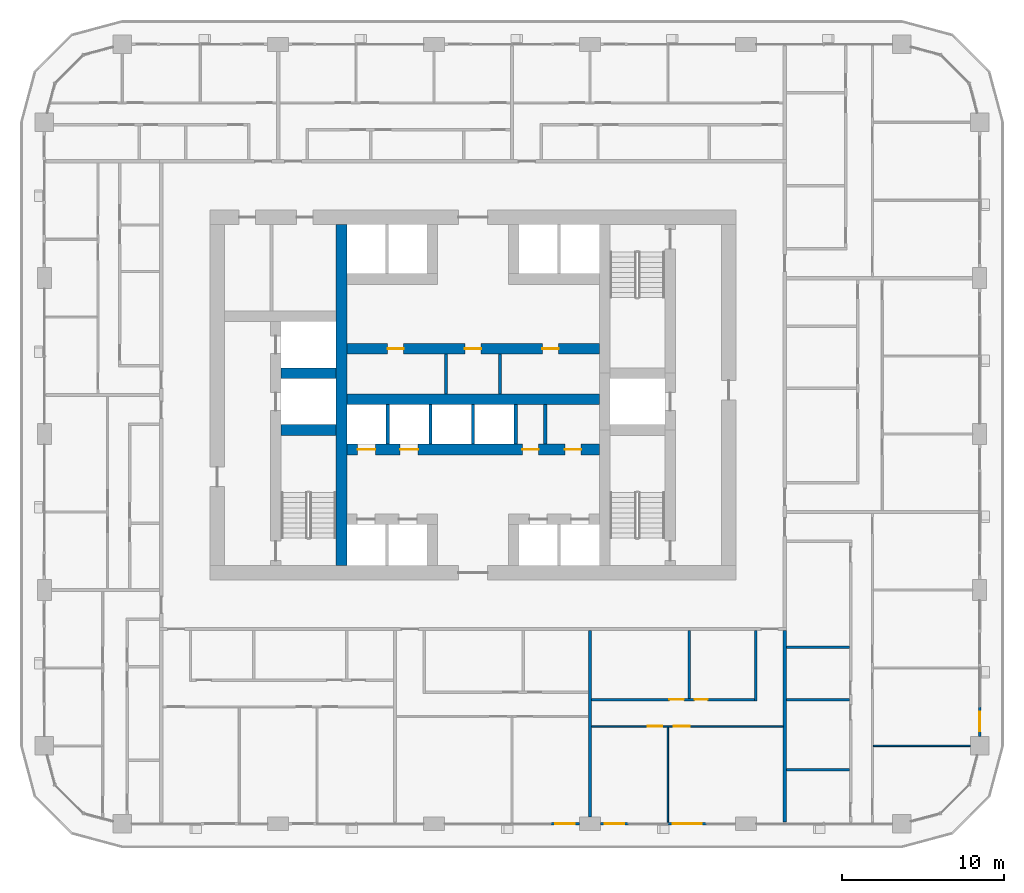
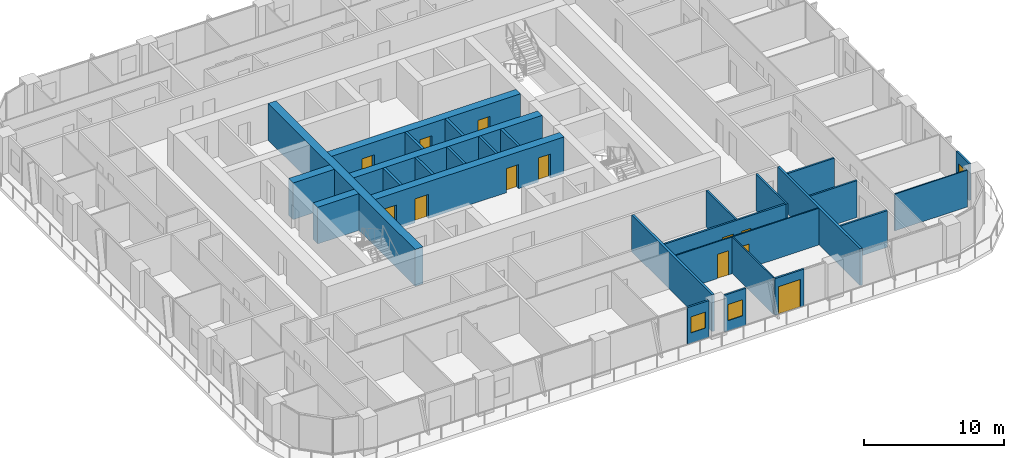
# One storey, part 11 of 22: 28 walls, 12 doors, 3 windows, 15 openings.
"""IFC4 building model written with IfcOpenShell, lengths in metres."""

import ifcopenshell
import ifcopenshell.guid

model = None  # the IFC model being written
_history = None  # IfcOwnerHistory: only IFC2X3 demands one
_inside = {}  # id of a spatial element -> (the spatial element, [elements in it])
_under = {}  # id of a project, library or spatial element -> (it, [spatial elements below it])
_declared = {}  # id of a project -> (the project, [libraries it declares])
_typed = {}  # id of a type object -> (the type object, [elements of that type])
_made_of = {}  # id of a material, layer set ... -> (it, [elements and type objects made of it])


def new_model(schema):
    """Start an empty IFC model of exactly this schema.

    Asked for "IFC4X3", IfcOpenShell would pick the latest addendum, in which some entities
    have other attributes; the version numbers below select the first issue.
    IFC2X3 requires an IfcOwnerHistory on every rooted entity: one is made here for all.
    """
    global model, _history
    if schema == "IFC4X3":
        model = ifcopenshell.file(schema_version=(4, 3, 0, 0))
    else:
        model = ifcopenshell.file(schema=schema)
    _inside.clear()
    _under.clear()
    _declared.clear()
    _typed.clear()
    _made_of.clear()
    _history = None
    if model.schema == "IFC2X3":
        org = make("IfcOrganization", Name="unknown")
        user = make(
            "IfcPersonAndOrganization",
            ThePerson=make("IfcPerson", FamilyName="unknown"),
            TheOrganization=org,
        )
        app = make(
            "IfcApplication",
            ApplicationDeveloper=org,
            Version="unknown",
            ApplicationFullName="unknown",
            ApplicationIdentifier="unknown",
        )
        _history = make(
            "IfcOwnerHistory",
            OwningUser=user,
            OwningApplication=app,
            ChangeAction="ADDED",
            CreationDate=0,
        )
    return model


def make(cls, **values):
    """One entity of the class cls with the attributes given. An attribute that is None is left unset."""
    return model.create_entity(
        cls, **{name: value for name, value in values.items() if value is not None}
    )


def rooted(cls, **values):
    """An entity with a GlobalId (a new one), such as an element, a storey or a relation."""
    return make(cls, GlobalId=ifcopenshell.guid.new(), OwnerHistory=_history, **values)


def si_unit(unit_type, name, prefix=None):
    """IfcSIUnit, for example si_unit("LENGTHUNIT", "METRE", prefix="MILLI")."""
    return make("IfcSIUnit", UnitType=unit_type, Prefix=prefix, Name=name)


def assignment(units):
    """IfcUnitAssignment: the units of a project."""
    return None if units is None else make("IfcUnitAssignment", Units=units)


def point(xyz):
    """IfcCartesianPoint."""
    return None if xyz is None else make("IfcCartesianPoint", Coordinates=xyz)


def direction(xyz):
    """IfcDirection."""
    return None if xyz is None else make("IfcDirection", DirectionRatios=xyz)


def frame(location, z_axis=None, x_axis=None):
    """IfcAxis2Placement3D, a coordinate frame: its origin and axes. An axis left out is left unset."""
    return make(
        "IfcAxis2Placement3D",
        Location=point(location),
        Axis=direction(z_axis),
        RefDirection=direction(x_axis),
    )


def frame_2d(location, x_axis=None):
    """IfcAxis2Placement2D, a coordinate frame in the plane: its origin and x axis."""
    return make(
        "IfcAxis2Placement2D", Location=point(location), RefDirection=direction(x_axis)
    )


def origin():
    """The frame at (0, 0, 0) with its axes left unset."""
    return frame((0.0, 0.0, 0.0))


def place(relative_to, where):
    """IfcLocalPlacement: puts the frame where relative to a parent placement (None: the world)."""
    return make(
        "IfcLocalPlacement", PlacementRelTo=relative_to, RelativePlacement=where
    )


def context(
    kind, dimensions, precision=None, world=None, true_north=None, identifier=None
):
    """IfcGeometricRepresentationContext, for example the 3D "Model" context."""
    return make(
        "IfcGeometricRepresentationContext",
        ContextIdentifier=identifier,
        ContextType=kind,
        CoordinateSpaceDimension=dimensions,
        Precision=precision,
        WorldCoordinateSystem=world,
        TrueNorth=true_north,
    )


def subcontext(parent, identifier, kind, view, scale=None):
    """IfcGeometricRepresentationSubContext, for example "Body" below "Model"."""
    return make(
        "IfcGeometricRepresentationSubContext",
        ContextIdentifier=identifier,
        ContextType=kind,
        ParentContext=parent,
        TargetScale=scale,
        TargetView=view,
    )


def project(units=None, contexts=None):
    """IfcProject with its units and contexts."""
    return rooted(
        "IfcProject",
        Name="project",
        RepresentationContexts=contexts,
        UnitsInContext=assignment(units),
    )


def spatial(cls, under=None, at=None, **own):
    """A site, building, storey or space (cls), placed at a placement, below another one or the project."""
    s = rooted(cls, ObjectPlacement=at, **own)
    if under is not None:
        _under.setdefault(under.id(), (under, []))[1].append(s)
    return s


def profile(cls, at=None, kind="AREA", **sizes):
    """A parametric profile (cls). Its sizes go by their IFC names, for example OverallWidth=200.0."""
    return make(cls, ProfileType=kind, Position=at, **sizes)


def rectangle(**sizes):
    """IfcRectangleProfileDef."""
    return profile("IfcRectangleProfileDef", **sizes)


def extrude(swept, where, along, depth):
    """IfcExtrudedAreaSolid: the profile swept, set in the frame where, extruded along a direction by depth."""
    return make(
        "IfcExtrudedAreaSolid",
        SweptArea=swept,
        Position=where,
        ExtrudedDirection=direction(along),
        Depth=depth,
    )


def shape(context_of_items, identifier, shape_type, items):
    """IfcShapeRepresentation: the items that make up one representation, for example the "Body"."""
    return make(
        "IfcShapeRepresentation",
        ContextOfItems=context_of_items,
        RepresentationIdentifier=identifier,
        RepresentationType=shape_type,
        Items=items,
    )


def material(Name=None, Category=None):
    """IfcMaterial."""
    return make("IfcMaterial", Name=Name, Category=Category)


def layer(
    of_material, thickness, ventilated=None, Name=None, Category=None, Priority=None
):
    """IfcMaterialLayer: one layer of a wall or slab, of a material (None: an air gap)."""
    return make(
        "IfcMaterialLayer",
        Material=of_material,
        LayerThickness=thickness,
        IsVentilated=ventilated,
        Name=Name,
        Category=Category,
        Priority=Priority,
    )


def layer_set(layers, Name=None):
    """IfcMaterialLayerSet."""
    return make("IfcMaterialLayerSet", MaterialLayers=layers, LayerSetName=Name)


def made_of(thing, what):
    """Note that an element or type object is made of a material, layer set ...; save() writes the relation."""
    if what is not None:
        _made_of.setdefault(what.id(), (what, []))[1].append(thing)
    return thing


def type_object(cls, material=None, **own):
    """A type object (cls), such as IfcWallType, which elements share."""
    return made_of(rooted(cls, **own), material)


def element(
    cls,
    number,
    at=None,
    inside=None,
    cuts=None,
    type_object=None,
    material=None,
    context=None,
    identifier="Body",
    shape_type=None,
    held_by="IfcProductDefinitionShape",
    body=None,
    shapes=None,
    **own,
):
    """One element of the class cls, such as IfcWall. Its Tag is "e" and its number.

    at: its placement. inside: the storey or other place that contains it. cuts: it is an
    opening in that element (IfcRelVoidsElement). A single representation is given by context,
    identifier, shape_type and body (its items); several are given by shapes. held_by: the class
    of the entity that holds the representations. save() writes the other relations.
    """
    e = rooted(cls, Tag="e%d" % number, ObjectPlacement=at, **own)
    if body is not None:
        shapes = [shape(context, identifier, shape_type, body)]
    if shapes is not None:
        e.Representation = make(held_by, Representations=shapes)
    if inside is not None:
        _inside.setdefault(inside.id(), (inside, []))[1].append(e)
    if cuts is not None:
        rooted(
            "IfcRelVoidsElement", RelatingBuildingElement=cuts, RelatedOpeningElement=e
        )
    if type_object is not None:
        _typed.setdefault(type_object.id(), (type_object, []))[1].append(e)
    return made_of(e, material)


def fill(opening, filler):
    """IfcRelFillsElement: the door or window that sits in an opening."""
    return rooted(
        "IfcRelFillsElement",
        RelatingOpeningElement=opening,
        RelatedBuildingElement=filler,
    )


def aggregate(whole, parts):
    """IfcRelAggregates: a whole, such as a stair, and the parts it consists of."""
    return rooted("IfcRelAggregates", RelatingObject=whole, RelatedObjects=parts)


def save(model, path):
    """Write the relations noted so far, then the file.

    IfcRelAggregates (storeys below a building ...), IfcRelContainedInSpatialStructure (elements
    in a storey), IfcRelDefinesByType, IfcRelAssociatesMaterial and IfcRelDeclares: one each for
    every whole, place, type object, material and project.
    """
    for whole, parts in _under.values():
        aggregate(whole, parts)
    for where, things in _inside.values():
        rooted(
            "IfcRelContainedInSpatialStructure",
            RelatedElements=things,
            RelatingStructure=where,
        )
    for kind, things in _typed.values():
        rooted("IfcRelDefinesByType", RelatedObjects=things, RelatingType=kind)
    for what, things in _made_of.values():
        rooted("IfcRelAssociatesMaterial", RelatedObjects=things, RelatingMaterial=what)
    for by, libraries in _declared.values():
        rooted("IfcRelDeclares", RelatingContext=by, RelatedDefinitions=libraries)
    model.write(path)


model = new_model("IFC4")

# Units and contexts
model_context = context("Model", 3, precision=1e-05, world=origin(), true_north=direction((0.0, 1.0)))
body_context = subcontext(model_context, "Body", "Model", "MODEL_VIEW")
ifc_project = project(units=[si_unit("LENGTHUNIT", "METRE"), si_unit("AREAUNIT", "SQUARE_METRE"), si_unit("VOLUMEUNIT", "CUBIC_METRE"), si_unit("PLANEANGLEUNIT", "RADIAN"), si_unit("MASSUNIT", "GRAM", prefix="KILO")], contexts=[model_context])

# Site, building, storey
site_placement = place(None, origin())
site = spatial("IfcSite", under=ifc_project, at=site_placement, CompositionType="ELEMENT")
building_placement = place(site_placement, origin())
building = spatial("IfcBuilding", under=site, at=building_placement, Name="Madar Terraces", CompositionType="ELEMENT")
storey_placement = place(building_placement, frame((0.0, 0.0, 76.800048828125)))
storey = spatial("IfcBuildingStorey", under=building, at=storey_placement, Name="L19", CompositionType="ELEMENT", Elevation=76.800048828125)

# Walls
ifc_material_1 = material(Name="Concrete C80/95", Category="concrete")
ifc_layer_1 = layer(ifc_material_1, 0.64990234375)
ifc_layer_set_1 = layer_set([ifc_layer_1], Name="Concrete C80/95 (CIW2 RC wall 650)")
wall_type_1 = type_object("IfcWallType", Name="CIW2 RC wall 650", PredefinedType="SHEAR", material=ifc_layer_set_1)
wall_1_placement = place(storey_placement, frame((23.10009765625, 15.89990234375, 0.0), z_axis=(0.0, 0.0, 1.0), x_axis=(0.0, 1.0, 0.0)))
element("IfcWall", 1, at=wall_1_placement, inside=storey, type_object=wall_type_1, Name="CORE SHAFT WALL", PredefinedType="SHEAR", context=body_context, shape_type="SweptSolid", body=[
    extrude(rectangle(XDim=21.0, YDim=0.64990234375, at=frame_2d((10.5, 0.0))), origin(), (0.0, 0.0, 1.0), 3.199951171875),
])
for number, where, z_axis, x_axis, name in (
    (2, (19.375, 24.25, 0.0), (0.0, 0.0, 1.0), (1.0, 0.0, 0.0), "CORE SHAFT WALL"),
    (3, (19.375, 27.75, 0.0), (0.0, 0.0, 1.0), (1.0, 0.0, 0.0), "CORE SHAFT WALL"),
):
    element("IfcWall", number, at=place(storey_placement, frame(where, z_axis=z_axis, x_axis=x_axis)), inside=storey, type_object=wall_type_1, Name=name, PredefinedType="SHEAR", context=body_context, shape_type="SweptSolid", body=[
        extrude(rectangle(XDim=3.39990234375, YDim=0.64990234375, at=frame_2d((1.699951171875, 0.0))), origin(), (0.0, 0.0, 1.0), 3.199951171875),
    ])

# Wall, openings, doors
wall_2_placement = place(storey_placement, frame((23.425048828125, 23.050048828125, 0.0), z_axis=(0.0, 0.0, 1.0), x_axis=(1.0, 0.0, 0.0)))
wall_2 = element("IfcWall", 4, at=wall_2_placement, inside=storey, type_object=wall_type_1, Name="CORE SHAFT WALL", PredefinedType="SHEAR", context=body_context, shape_type="SweptSolid", body=[
    extrude(rectangle(XDim=15.550048828125, YDim=0.64990234375, at=frame_2d((7.77490234375, 0.0))), origin(), (0.0, 0.0, 1.0), 3.199951171875),
])
opening_1_placement = place(wall_2_placement, frame((0.66259765625, 0.0, 0.0)))
opening_1 = element("IfcOpeningElement", 5, at=opening_1_placement, cuts=wall_2, Name="Opening LD", PredefinedType="OPENING", context=body_context, shape_type="SweptSolid", body=[
    extrude(rectangle(XDim=1.10009765625, YDim=2.10009765625, at=frame_2d((0.550048828125, 1.050048828125))), frame((0.0, 0.3349609375, 0.0), z_axis=(0.0, -1.0, 0.0), x_axis=(1.0, 0.0, 0.0)), (0.0, 0.0, 1.0), 0.669921875),
])
opening_2_placement = place(wall_2_placement, frame((3.28759765625, 0.0, 0.0)))
opening_2 = element("IfcOpeningElement", 6, at=opening_2_placement, cuts=wall_2, Name="Opening LD", PredefinedType="OPENING", context=body_context, shape_type="SweptSolid", body=[
    extrude(rectangle(XDim=1.10009765625, YDim=2.10009765625, at=frame_2d((0.550048828125, 1.050048828125))), frame((0.0, 0.3349609375, 0.0), z_axis=(0.0, -1.0, 0.0), x_axis=(1.0, 0.0, 0.0)), (0.0, 0.0, 1.0), 0.669921875),
])
opening_3_placement = place(wall_2_placement, frame((10.80859375, 0.0, 0.0)))
opening_3 = element("IfcOpeningElement", 7, at=opening_3_placement, cuts=wall_2, Name="Opening KD2", PredefinedType="OPENING", context=body_context, shape_type="SweptSolid", body=[
    extrude(rectangle(XDim=1.0, YDim=2.10009765625, at=frame_2d((0.5, 1.050048828125))), frame((0.0, 0.3349609375, 0.0), z_axis=(0.0, -1.0, 0.0), x_axis=(1.0, 0.0, 0.0)), (0.0, 0.0, 1.0), 0.669921875),
])
opening_4_placement = place(wall_2_placement, frame((13.43359375, 0.0, 0.0)))
opening_4 = element("IfcOpeningElement", 8, at=opening_4_placement, cuts=wall_2, Name="Opening KD2", PredefinedType="OPENING", context=body_context, shape_type="SweptSolid", body=[
    extrude(rectangle(XDim=1.0, YDim=2.10009765625, at=frame_2d((0.5, 1.050048828125))), frame((0.0, 0.3349609375, 0.0), z_axis=(0.0, -1.0, 0.0), x_axis=(1.0, 0.0, 0.0)), (0.0, 0.0, 1.0), 0.669921875),
])
ifc_material_2 = material(Name="Stainless steel panel", Category="steel")
door_type_1 = type_object("IfcDoorType", Name="Lift landing door 1100 x 2100", OperationType="DOUBLE_DOOR_SLIDING", PredefinedType="DOOR", material=ifc_material_2)
door_1_placement = place(opening_1_placement, origin())
door_1 = element("IfcDoor", 9, at=door_1_placement, inside=storey, type_object=door_type_1, Name="LIFT LANDING DOOR", OperationType="DOUBLE_DOOR_SLIDING", OverallHeight=2.10009765625, OverallWidth=1.10009765625, PredefinedType="DOOR", context=body_context, shape_type="SweptSolid", body=[
    extrude(rectangle(XDim=1.10009765625, YDim=2.10009765625, at=frame_2d((0.550048828125, 1.050048828125))), frame((0.0, 0.02490234375, 0.0), z_axis=(0.0, -1.0, 0.0), x_axis=(1.0, 0.0, 0.0)), (0.0, 0.0, 1.0), 0.050048828125),
])
fill(opening_1, door_1)
door_2_placement = place(opening_2_placement, origin())
door_2 = element("IfcDoor", 10, at=door_2_placement, inside=storey, type_object=door_type_1, Name="LIFT LANDING DOOR", OperationType="DOUBLE_DOOR_SLIDING", OverallHeight=2.10009765625, OverallWidth=1.10009765625, PredefinedType="DOOR", context=body_context, shape_type="SweptSolid", body=[
    extrude(rectangle(XDim=1.10009765625, YDim=2.10009765625, at=frame_2d((0.550048828125, 1.050048828125))), frame((0.0, 0.02490234375, 0.0), z_axis=(0.0, -1.0, 0.0), x_axis=(1.0, 0.0, 0.0)), (0.0, 0.0, 1.0), 0.050048828125),
])
fill(opening_2, door_2)
ifc_material_3 = material(Name="Steel door leaf", Category="steel")
door_type_2 = type_object("IfcDoorType", Name="Service room door 1000 x 2100", OperationType="NOTDEFINED", PredefinedType="DOOR", material=ifc_material_3)
door_3_placement = place(opening_3_placement, frame((1.0, 0.0, 0.0), z_axis=(0.0, 0.0, 1.0), x_axis=(-1.0, 0.0, 0.0)))
door_3 = element("IfcDoor", 11, at=door_3_placement, inside=storey, type_object=door_type_2, Name="SERVICE ROOM DOOR", OperationType="SINGLE_SWING_RIGHT", OverallHeight=2.10009765625, OverallWidth=1.0, PredefinedType="DOOR", context=body_context, shape_type="SweptSolid", body=[
    extrude(rectangle(XDim=1.0, YDim=2.10009765625, at=frame_2d((0.5, 1.050048828125))), frame((0.0, 0.02490234375, 0.0), z_axis=(0.0, -1.0, 0.0), x_axis=(1.0, 0.0, 0.0)), (0.0, 0.0, 1.0), 0.050048828125),
])
fill(opening_3, door_3)
door_4_placement = place(opening_4_placement, frame((1.0, 0.0, 0.0), z_axis=(0.0, 0.0, 1.0), x_axis=(-1.0, 0.0, 0.0)))
door_4 = element("IfcDoor", 12, at=door_4_placement, inside=storey, type_object=door_type_2, Name="SERVICE ROOM DOOR", OperationType="SINGLE_SWING_LEFT", OverallHeight=2.10009765625, OverallWidth=1.0, PredefinedType="DOOR", context=body_context, shape_type="SweptSolid", body=[
    extrude(rectangle(XDim=1.0, YDim=2.10009765625, at=frame_2d((0.5, 1.050048828125))), frame((0.0, 0.02490234375, 0.0), z_axis=(0.0, -1.0, 0.0), x_axis=(1.0, 0.0, 0.0)), (0.0, 0.0, 1.0), 0.050048828125),
])
fill(opening_4, door_4)

# Wall
wall_3_placement = place(storey_placement, frame((23.425048828125, 26.14990234375, 0.0), z_axis=(0.0, 0.0, 1.0), x_axis=(1.0, 0.0, 0.0)))
element("IfcWall", 13, at=wall_3_placement, inside=storey, type_object=wall_type_1, Name="CORE SHAFT WALL", PredefinedType="SHEAR", context=body_context, shape_type="SweptSolid", body=[
    extrude(rectangle(XDim=15.550048828125, YDim=0.64990234375, at=frame_2d((7.77490234375, 0.0))), origin(), (0.0, 0.0, 1.0), 3.199951171875),
])

# Wall, openings, doors
wall_4_placement = place(storey_placement, frame((23.425048828125, 29.25, 0.0), z_axis=(0.0, 0.0, 1.0), x_axis=(1.0, 0.0, 0.0)))
wall_4 = element("IfcWall", 14, at=wall_4_placement, inside=storey, type_object=wall_type_1, Name="CORE SHAFT WALL", PredefinedType="SHEAR", context=body_context, shape_type="SweptSolid", body=[
    extrude(rectangle(XDim=15.550048828125, YDim=0.64990234375, at=frame_2d((7.77490234375, 0.0))), origin(), (0.0, 0.0, 1.0), 3.199951171875),
])
opening_5_placement = place(wall_4_placement, frame((2.508056640625, 0.0, 0.0)))
opening_5 = element("IfcOpeningElement", 15, at=opening_5_placement, cuts=wall_4, Name="Opening KD2", PredefinedType="OPENING", context=body_context, shape_type="SweptSolid", body=[
    extrude(rectangle(XDim=1.0, YDim=2.10009765625, at=frame_2d((0.5, 1.050048828125))), frame((0.0, 0.3349609375, 0.0), z_axis=(0.0, -1.0, 0.0), x_axis=(1.0, 0.0, 0.0)), (0.0, 0.0, 1.0), 0.669921875),
])
opening_6_placement = place(wall_4_placement, frame((7.27490234375, 0.0, 0.0)))
opening_6 = element("IfcOpeningElement", 16, at=opening_6_placement, cuts=wall_4, Name="Opening KD2", PredefinedType="OPENING", context=body_context, shape_type="SweptSolid", body=[
    extrude(rectangle(XDim=1.0, YDim=2.10009765625, at=frame_2d((0.5, 1.050048828125))), frame((0.0, 0.3349609375, 0.0), z_axis=(0.0, -1.0, 0.0), x_axis=(1.0, 0.0, 0.0)), (0.0, 0.0, 1.0), 0.669921875),
])
opening_7_placement = place(wall_4_placement, frame((12.041748046875, 0.0, 0.0)))
opening_7 = element("IfcOpeningElement", 17, at=opening_7_placement, cuts=wall_4, Name="Opening KD2", PredefinedType="OPENING", context=body_context, shape_type="SweptSolid", body=[
    extrude(rectangle(XDim=1.0, YDim=2.10009765625, at=frame_2d((0.5, 1.050048828125))), frame((0.0, 0.3349609375, 0.0), z_axis=(0.0, -1.0, 0.0), x_axis=(1.0, 0.0, 0.0)), (0.0, 0.0, 1.0), 0.669921875),
])
door_5_placement = place(opening_5_placement, origin())
door_5 = element("IfcDoor", 18, at=door_5_placement, inside=storey, type_object=door_type_2, Name="SERVICE ROOM DOOR", OperationType="SINGLE_SWING_RIGHT", OverallHeight=2.10009765625, OverallWidth=1.0, PredefinedType="DOOR", context=body_context, shape_type="SweptSolid", body=[
    extrude(rectangle(XDim=1.0, YDim=2.10009765625, at=frame_2d((0.5, 1.050048828125))), frame((0.0, 0.02490234375, 0.0), z_axis=(0.0, -1.0, 0.0), x_axis=(1.0, 0.0, 0.0)), (0.0, 0.0, 1.0), 0.050048828125),
])
fill(opening_5, door_5)
door_6_placement = place(opening_6_placement, origin())
door_6 = element("IfcDoor", 19, at=door_6_placement, inside=storey, type_object=door_type_2, Name="SERVICE ROOM DOOR", OperationType="SINGLE_SWING_LEFT", OverallHeight=2.10009765625, OverallWidth=1.0, PredefinedType="DOOR", context=body_context, shape_type="SweptSolid", body=[
    extrude(rectangle(XDim=1.0, YDim=2.10009765625, at=frame_2d((0.5, 1.050048828125))), frame((0.0, 0.02490234375, 0.0), z_axis=(0.0, -1.0, 0.0), x_axis=(1.0, 0.0, 0.0)), (0.0, 0.0, 1.0), 0.050048828125),
])
fill(opening_6, door_6)
door_7_placement = place(opening_7_placement, origin())
door_7 = element("IfcDoor", 20, at=door_7_placement, inside=storey, type_object=door_type_2, Name="SERVICE ROOM DOOR", OperationType="SINGLE_SWING_RIGHT", OverallHeight=2.10009765625, OverallWidth=1.0, PredefinedType="DOOR", context=body_context, shape_type="SweptSolid", body=[
    extrude(rectangle(XDim=1.0, YDim=2.10009765625, at=frame_2d((0.5, 1.050048828125))), frame((0.0, 0.02490234375, 0.0), z_axis=(0.0, -1.0, 0.0), x_axis=(1.0, 0.0, 0.0)), (0.0, 0.0, 1.0), 0.050048828125),
])
fill(opening_7, door_7)

# Walls
ifc_material_4 = material(Name="Masonry blockwork", Category="masonry")
ifc_layer_2 = layer(ifc_material_4, 0.199951171875)
ifc_layer_set_2 = layer_set([ifc_layer_2], Name="Core partition 200 blockwork")
wall_type_2 = type_object("IfcWallType", Name="Core partition 200 blockwork", PredefinedType="PARTITIONING", material=ifc_layer_set_2)
for number, where, z_axis, x_axis, name in (
    (21, (35.64208984375, 23.375, 0.0), (0.0, 0.0, 1.0), (0.0, 1.0, 0.0), "SERVICE ROOM PARTITION"),
    (22, (29.541259765625, 26.47509765625, 0.0), (0.0, 0.0, 1.0), (0.0, 1.0, 0.0), "SERVICE ROOM PARTITION"),
    (23, (32.858642578125, 26.47509765625, 0.0), (0.0, 0.0, 1.0), (0.0, 1.0, 0.0), "SERVICE ROOM PARTITION"),
):
    element("IfcWall", number, at=place(storey_placement, frame(where, z_axis=z_axis, x_axis=x_axis)), inside=storey, type_object=wall_type_2, Name=name, PredefinedType="PARTITIONING", context=body_context, shape_type="SweptSolid", body=[
        extrude(rectangle(XDim=2.449951171875, YDim=0.199951171875, at=frame_2d((1.22509765625, 0.0))), origin(), (0.0, 0.0, 1.0), 3.199951171875),
    ])
ifc_material_5 = material(Name="Concrete C40/50", Category="concrete")
ifc_layer_3 = layer(ifc_material_5, 0.199951171875)
ifc_layer_set_3 = layer_set([ifc_layer_3], Name="Core shaft dividing wall 200 C40/50")
wall_type_3 = type_object("IfcWallType", Name="Core shaft dividing wall 200 C40/50", PredefinedType="SOLIDWALL", material=ifc_layer_set_3)
for number, where, z_axis, x_axis, name in (
    (24, (25.949951171875, 23.375, 0.0), (0.0, 0.0, 1.0), (0.0, 1.0, 0.0), "SHAFT DIVIDING WALL"),
    (25, (28.574951171875, 23.375, 0.0), (0.0, 0.0, 1.0), (0.0, 1.0, 0.0), "SHAFT DIVIDING WALL"),
    (26, (31.199951171875, 23.375, 0.0), (0.0, 0.0, 1.0), (0.0, 1.0, 0.0), "SHAFT DIVIDING WALL"),
    (27, (33.824951171875, 23.375, 0.0), (0.0, 0.0, 1.0), (0.0, 1.0, 0.0), "SHAFT DIVIDING WALL"),
):
    element("IfcWall", number, at=place(storey_placement, frame(where, z_axis=z_axis, x_axis=x_axis)), inside=storey, type_object=wall_type_3, Name=name, PredefinedType="SOLIDWALL", context=body_context, shape_type="SweptSolid", body=[
        extrude(rectangle(XDim=2.449951171875, YDim=0.199951171875, at=frame_2d((1.22509765625, 0.0))), origin(), (0.0, 0.0, 1.0), 3.199951171875),
    ])

# Wall, opening, window
ifc_material_6 = material(Name="Aluminium composite panel, black, over insulated backing", Category="aluminium")
ifc_layer_4 = layer(ifc_material_6, 0.14990234375)
ifc_layer_set_4 = layer_set([ifc_layer_4], Name="Facade bay panel 150")
wall_type_4 = type_object("IfcWallType", Name="Facade bay panel 150", PredefinedType="SOLIDWALL", material=ifc_layer_set_4)
wall_5_placement = place(storey_placement, frame((36.0, 0.0, 0.0), z_axis=(0.0, 0.0, 1.0), x_axis=(1.0, 0.0, 0.0)))
wall_5 = element("IfcWall", 28, at=wall_5_placement, inside=storey, type_object=wall_type_4, Name="Facade bay panel", PredefinedType="SOLIDWALL", context=body_context, shape_type="SweptSolid", body=[
    extrude(rectangle(XDim=1.75, YDim=0.14990234375, at=frame_2d((0.875, 0.0))), origin(), (0.0, 0.0, 1.0), 3.199951171875),
])
opening_8_placement = place(wall_5_placement, frame((0.27490234375, 0.0, 0.89990234375)))
opening_8 = element("IfcOpeningElement", 29, at=opening_8_placement, cuts=wall_5, Name="Opening W1", PredefinedType="OPENING", context=body_context, shape_type="SweptSolid", body=[
    extrude(rectangle(XDim=1.199951171875, YDim=1.39990234375, at=frame_2d((0.60009765625, 0.699951171875))), frame((0.0, 0.0849609375, 0.0), z_axis=(0.0, -1.0, 0.0), x_axis=(1.0, 0.0, 0.0)), (0.0, 0.0, 1.0), 0.169921875),
])
ifc_material_7 = material(Name="Glass, clear, with black aluminium frame", Category="aluminium")
window_type = type_object("IfcWindowType", Name="Vent window 1200 x 1400", PartitioningType="SINGLE_PANEL", PredefinedType="WINDOW", material=ifc_material_7)
window_1_placement = place(opening_8_placement, origin())
window_1 = element("IfcWindow", 30, at=window_1_placement, inside=storey, type_object=window_type, Name="Operable vent window", OverallHeight=1.39990234375, OverallWidth=1.199951171875, PartitioningType="SINGLE_PANEL", PredefinedType="WINDOW", context=body_context, shape_type="SweptSolid", body=[
    extrude(rectangle(XDim=1.199951171875, YDim=1.39990234375, at=frame_2d((0.60009765625, 0.699951171875))), frame((0.0, 0.030029296875, 0.0), z_axis=(0.0, -1.0, 0.0), x_axis=(1.0, 0.0, 0.0)), (0.0, 0.0, 1.0), 0.06005859375),
])
fill(opening_8, window_1)

wall_6_placement = place(storey_placement, frame((39.050048828125, 0.0, 0.0), z_axis=(0.0, 0.0, 1.0), x_axis=(1.0, 0.0, 0.0)))
wall_6 = element("IfcWall", 31, at=wall_6_placement, inside=storey, type_object=wall_type_4, Name="Facade bay panel", PredefinedType="SOLIDWALL", context=body_context, shape_type="SweptSolid", body=[
    extrude(rectangle(XDim=1.75, YDim=0.14990234375, at=frame_2d((0.875, 0.0))), origin(), (0.0, 0.0, 1.0), 3.199951171875),
])
opening_9_placement = place(wall_6_placement, frame((0.27490234375, 0.0, 0.89990234375)))
opening_9 = element("IfcOpeningElement", 32, at=opening_9_placement, cuts=wall_6, Name="Opening W1", PredefinedType="OPENING", context=body_context, shape_type="SweptSolid", body=[
    extrude(rectangle(XDim=1.199951171875, YDim=1.39990234375, at=frame_2d((0.60009765625, 0.699951171875))), frame((0.0, 0.0849609375, 0.0), z_axis=(0.0, -1.0, 0.0), x_axis=(1.0, 0.0, 0.0)), (0.0, 0.0, 1.0), 0.169921875),
])
window_2_placement = place(opening_9_placement, origin())
window_2 = element("IfcWindow", 33, at=window_2_placement, inside=storey, type_object=window_type, Name="Operable vent window", OverallHeight=1.39990234375, OverallWidth=1.199951171875, PartitioningType="SINGLE_PANEL", PredefinedType="WINDOW", context=body_context, shape_type="SweptSolid", body=[
    extrude(rectangle(XDim=1.199951171875, YDim=1.39990234375, at=frame_2d((0.60009765625, 0.699951171875))), frame((0.0, 0.030029296875, 0.0), z_axis=(0.0, -1.0, 0.0), x_axis=(1.0, 0.0, 0.0)), (0.0, 0.0, 1.0), 0.06005859375),
])
fill(opening_9, window_2)

# Wall, opening, door
wall_7_placement = place(storey_placement, frame((43.199951171875, 0.0, 0.0), z_axis=(0.0, 0.0, 1.0), x_axis=(1.0, 0.0, 0.0)))
wall_7 = element("IfcWall", 34, at=wall_7_placement, inside=storey, type_object=wall_type_4, Name="Facade bay panel", PredefinedType="SOLIDWALL", context=body_context, shape_type="SweptSolid", body=[
    extrude(rectangle(XDim=2.400146484375, YDim=0.14990234375, at=frame_2d((1.2001953125, 0.0))), origin(), (0.0, 0.0, 1.0), 3.199951171875),
])
opening_10_placement = place(wall_7_placement, frame((0.300048828125, 0.0, 0.0)))
opening_10 = element("IfcOpeningElement", 35, at=opening_10_placement, cuts=wall_7, Name="Opening ED1", PredefinedType="OPENING", context=body_context, shape_type="SweptSolid", body=[
    extrude(rectangle(XDim=1.800048828125, YDim=2.39990234375, at=frame_2d((0.89990234375, 1.199951171875))), frame((0.0, 0.0849609375, 0.0), z_axis=(0.0, -1.0, 0.0), x_axis=(1.0, 0.0, 0.0)), (0.0, 0.0, 1.0), 0.169921875),
])
ifc_material_8 = material(Name="Glass, clear, with black aluminium frame", Category="aluminium")
door_type_3 = type_object("IfcDoorType", Name="Balcony and terrace sliding door 1800 x 2400", OperationType="SLIDING_TO_LEFT", PredefinedType="DOOR", material=ifc_material_8)
door_8_placement = place(opening_10_placement, origin())
door_8 = element("IfcDoor", 36, at=door_8_placement, inside=storey, type_object=door_type_3, Name="Balcony door", OperationType="SLIDING_TO_RIGHT", OverallHeight=2.39990234375, OverallWidth=1.800048828125, PredefinedType="DOOR", context=body_context, shape_type="SweptSolid", body=[
    extrude(rectangle(XDim=1.800048828125, YDim=2.39990234375, at=frame_2d((0.89990234375, 1.199951171875))), frame((0.0, 0.02490234375, 0.0), z_axis=(0.0, -1.0, 0.0), x_axis=(1.0, 0.0, 0.0)), (0.0, 0.0, 1.0), 0.050048828125),
])
fill(opening_10, door_8)

# Wall, opening, window
wall_8_placement = place(storey_placement, frame((62.39990234375, 5.375, 0.0), z_axis=(0.0, 0.0, 1.0), x_axis=(0.0, 1.0, 0.0)))
wall_8 = element("IfcWall", 37, at=wall_8_placement, inside=storey, type_object=wall_type_4, Name="Facade bay panel", PredefinedType="SOLIDWALL", context=body_context, shape_type="SweptSolid", body=[
    extrude(rectangle(XDim=1.824951171875, YDim=0.14990234375, at=frame_2d((0.91259765625, 0.0))), origin(), (0.0, 0.0, 1.0), 3.199951171875),
])
opening_11_placement = place(wall_8_placement, frame((0.3125, 0.0, 0.89990234375)))
opening_11 = element("IfcOpeningElement", 38, at=opening_11_placement, cuts=wall_8, Name="Opening W1", PredefinedType="OPENING", context=body_context, shape_type="SweptSolid", body=[
    extrude(rectangle(XDim=1.199951171875, YDim=1.39990234375, at=frame_2d((0.60009765625, 0.699951171875))), frame((0.0, 0.0849609375, 0.0), z_axis=(0.0, -1.0, 0.0), x_axis=(1.0, 0.0, 0.0)), (0.0, 0.0, 1.0), 0.169921875),
])
window_3_placement = place(opening_11_placement, origin())
window_3 = element("IfcWindow", 39, at=window_3_placement, inside=storey, type_object=window_type, Name="Operable vent window", OverallHeight=1.39990234375, OverallWidth=1.199951171875, PartitioningType="SINGLE_PANEL", PredefinedType="WINDOW", context=body_context, shape_type="SweptSolid", body=[
    extrude(rectangle(XDim=1.199951171875, YDim=1.39990234375, at=frame_2d((0.60009765625, 0.699951171875))), frame((0.0, 0.030029296875, 0.0), z_axis=(0.0, -1.0, 0.0), x_axis=(1.0, 0.0, 0.0)), (0.0, 0.0, 1.0), 0.06005859375),
])
fill(opening_11, window_3)

# Wall
ifc_material_9 = material(Name="Gypsum board on steel studs", Category="steel")
ifc_layer_5 = layer(ifc_material_9, 0.10009765625)
ifc_layer_set_5 = layer_set([ifc_layer_5], Name="Flat partition 100")
wall_type_5 = type_object("IfcWallType", Name="Flat partition 100", PredefinedType="PARTITIONING", material=ifc_layer_set_5)
wall_9_placement = place(storey_placement, frame((43.199951171875, 5.949951171875, 0.0), z_axis=(0.0, 0.0, 1.0), x_axis=(0.0, -1.0, 0.0)))
element("IfcWall", 40, at=wall_9_placement, inside=storey, type_object=wall_type_5, Name="Flat partition 100", PredefinedType="PARTITIONING", context=body_context, shape_type="SweptSolid", body=[
    extrude(rectangle(XDim=5.849853515625, YDim=0.10009765625, at=frame_2d((2.9248046875, 0.0))), origin(), (0.0, 0.0, 1.0), 3.199951171875),
])

# Wall, openings, doors
wall_10_placement = place(storey_placement, frame((50.300048828125, 6.0, 0.0), z_axis=(0.0, 0.0, 1.0), x_axis=(-1.0, 0.0, 0.0)))
wall_10 = element("IfcWall", 41, at=wall_10_placement, inside=storey, type_object=wall_type_5, Name="Flat partition 100", PredefinedType="PARTITIONING", context=body_context, shape_type="SweptSolid", body=[
    extrude(rectangle(XDim=11.800048828125, YDim=0.10009765625, at=frame_2d((5.89990234375, 0.0))), origin(), (0.0, 0.0, 1.0), 3.199951171875),
])
opening_12_placement = place(wall_10_placement, frame((5.75, 0.0, 0.0)))
opening_12 = element("IfcOpeningElement", 42, at=opening_12_placement, cuts=wall_10, Name="Opening D3", PredefinedType="OPENING", context=body_context, shape_type="SweptSolid", body=[
    extrude(rectangle(XDim=1.0, YDim=2.10009765625, at=frame_2d((0.5, 1.050048828125))), frame((0.0, 0.06005859375, 0.0), z_axis=(0.0, -1.0, 0.0), x_axis=(1.0, 0.0, 0.0)), (0.0, 0.0, 1.0), 0.1201171875),
])
opening_13_placement = place(wall_10_placement, frame((7.449951171875, 0.0, 0.0)))
opening_13 = element("IfcOpeningElement", 43, at=opening_13_placement, cuts=wall_10, Name="Opening D2", PredefinedType="OPENING", context=body_context, shape_type="SweptSolid", body=[
    extrude(rectangle(XDim=0.89990234375, YDim=2.10009765625, at=frame_2d((0.449951171875, 1.050048828125))), frame((0.0, 0.06005859375, 0.0), z_axis=(0.0, -1.0, 0.0), x_axis=(1.0, 0.0, 0.0)), (0.0, 0.0, 1.0), 0.1201171875),
])
ifc_material_10 = material(Name="Timber door leaf", Category="wood")
door_type_4 = type_object("IfcDoorType", Name="Flat living room door 1000", OperationType="NOTDEFINED", PredefinedType="DOOR", material=ifc_material_10)
door_9_placement = place(opening_12_placement, origin())
door_9 = element("IfcDoor", 44, at=door_9_placement, inside=storey, type_object=door_type_4, Name="Flat living room door 1000", OperationType="SINGLE_SWING_RIGHT", OverallHeight=2.10009765625, OverallWidth=1.0, PredefinedType="DOOR", context=body_context, shape_type="SweptSolid", body=[
    extrude(rectangle(XDim=1.0, YDim=2.10009765625, at=frame_2d((0.5, 1.050048828125))), frame((0.0, 0.02490234375, 0.0), z_axis=(0.0, -1.0, 0.0), x_axis=(1.0, 0.0, 0.0)), (0.0, 0.0, 1.0), 0.050048828125),
])
fill(opening_12, door_9)
ifc_material_11 = material(Name="Timber door leaf", Category="wood")
door_type_5 = type_object("IfcDoorType", Name="Flat room door 900", OperationType="NOTDEFINED", PredefinedType="DOOR", material=ifc_material_11)
door_10_placement = place(opening_13_placement, origin())
door_10 = element("IfcDoor", 45, at=door_10_placement, inside=storey, type_object=door_type_5, Name="Flat room door 900", OperationType="SINGLE_SWING_LEFT", OverallHeight=2.10009765625, OverallWidth=0.89990234375, PredefinedType="DOOR", context=body_context, shape_type="SweptSolid", body=[
    extrude(rectangle(XDim=0.89990234375, YDim=2.10009765625, at=frame_2d((0.449951171875, 1.050048828125))), frame((0.0, 0.02490234375, 0.0), z_axis=(0.0, -1.0, 0.0), x_axis=(1.0, 0.0, 0.0)), (0.0, 0.0, 1.0), 0.050048828125),
])
fill(opening_13, door_10)

# Walls
wall_11_placement = place(storey_placement, frame((55.85009765625, 4.800048828125, 0.0), z_axis=(0.0, 0.0, 1.0), x_axis=(1.0, 0.0, 0.0)))
element("IfcWall", 46, at=wall_11_placement, inside=storey, type_object=wall_type_5, Name="Flat partition 100", PredefinedType="PARTITIONING", context=body_context, shape_type="SweptSolid", body=[
    extrude(rectangle(XDim=5.974853515625, YDim=0.10009765625, at=frame_2d((2.9873046875, 0.0))), origin(), (0.0, 0.0, 1.0), 3.199951171875),
])
ifc_material_12 = material(Name="Lightweight blockwork", Category="masonry")
ifc_layer_6 = layer(ifc_material_12, 0.199951171875)
ifc_layer_set_6 = layer_set([ifc_layer_6], Name="Flat party and entrance wall 200")
wall_type_6 = type_object("IfcWallType", Name="Flat party and entrance wall 200", PredefinedType="PARTITIONING", material=ifc_layer_set_6)
wall_12_placement = place(storey_placement, frame((38.39990234375, 11.89990234375, 0.0), z_axis=(0.0, 0.0, 1.0), x_axis=(0.0, -1.0, 0.0)))
element("IfcWall", 47, at=wall_12_placement, inside=storey, type_object=wall_type_6, Name="Flat party and entrance wall 200", PredefinedType="PARTITIONING", context=body_context, shape_type="SweptSolid", body=[
    extrude(rectangle(XDim=11.474853515625, YDim=0.199951171875, at=frame_2d((5.7373046875, 0.0))), origin(), (0.0, 0.0, 1.0), 3.199951171875),
])
wall_13_placement = place(storey_placement, frame((50.39990234375, 11.89990234375, 0.0), z_axis=(0.0, 0.0, 1.0), x_axis=(0.0, -1.0, 0.0)))
element("IfcWall", 48, at=wall_13_placement, inside=storey, type_object=wall_type_6, Name="Flat party and entrance wall 200", PredefinedType="PARTITIONING", context=body_context, shape_type="SweptSolid", body=[
    extrude(rectangle(XDim=11.7998046875, YDim=0.199951171875, at=frame_2d((5.89990234375, 0.0))), origin(), (0.0, 0.0, 1.0), 3.199951171875),
])
ifc_material_13 = material(Name="Lightweight blockwork", Category="masonry")
ifc_layer_7 = layer(ifc_material_13, 0.14990234375)
ifc_layer_set_7 = layer_set([ifc_layer_7], Name="Flat wet-room partition 150")
wall_type_7 = type_object("IfcWallType", Name="Flat wet-room partition 150", PredefinedType="PARTITIONING", material=ifc_layer_set_7)
wall_14_placement = place(storey_placement, frame((44.514892578125, 11.89990234375, 0.0), z_axis=(0.0, 0.0, 1.0), x_axis=(0.0, -1.0, 0.0)))
element("IfcWall", 49, at=wall_14_placement, inside=storey, type_object=wall_type_7, Name="Flat wet-room partition 150", PredefinedType="PARTITIONING", context=body_context, shape_type="SweptSolid", body=[
    extrude(rectangle(XDim=4.1748046875, YDim=0.14990234375, at=frame_2d((2.08740234375, 0.0))), origin(), (0.0, 0.0, 1.0), 3.199951171875),
])
wall_15_placement = place(storey_placement, frame((48.60009765625, 11.89990234375, 0.0), z_axis=(0.0, 0.0, 1.0), x_axis=(0.0, -1.0, 0.0)))
element("IfcWall", 50, at=wall_15_placement, inside=storey, type_object=wall_type_7, Name="Flat wet-room partition 150", PredefinedType="PARTITIONING", context=body_context, shape_type="SweptSolid", body=[
    extrude(rectangle(XDim=4.324951171875, YDim=0.14990234375, at=frame_2d((2.16259765625, 0.0))), origin(), (0.0, 0.0, 1.0), 3.199951171875),
])

# Wall, openings, doors
wall_16_placement = place(storey_placement, frame((38.5, 7.64990234375, 0.0), z_axis=(0.0, 0.0, 1.0), x_axis=(1.0, 0.0, 0.0)))
wall_16 = element("IfcWall", 51, at=wall_16_placement, inside=storey, type_object=wall_type_7, Name="Flat wet-room partition 150", PredefinedType="PARTITIONING", context=body_context, shape_type="SweptSolid", body=[
    extrude(rectangle(XDim=10.02490234375, YDim=0.14990234375, at=frame_2d((5.012451171875, 0.0))), origin(), (0.0, 0.0, 1.0), 3.199951171875),
])
opening_14_placement = place(wall_16_placement, frame((6.340087890625, 0.0, 0.0)))
opening_14 = element("IfcOpeningElement", 52, at=opening_14_placement, cuts=wall_16, Name="Opening D4", PredefinedType="OPENING", context=body_context, shape_type="SweptSolid", body=[
    extrude(rectangle(XDim=0.800048828125, YDim=2.10009765625, at=frame_2d((0.39990234375, 1.050048828125))), frame((0.0, 0.0849609375, 0.0), z_axis=(0.0, -1.0, 0.0), x_axis=(1.0, 0.0, 0.0)), (0.0, 0.0, 1.0), 0.169921875),
])
opening_15_placement = place(wall_16_placement, frame((4.7900390625, 0.0, 0.0)))
opening_15 = element("IfcOpeningElement", 53, at=opening_15_placement, cuts=wall_16, Name="Opening D2", PredefinedType="OPENING", context=body_context, shape_type="SweptSolid", body=[
    extrude(rectangle(XDim=0.89990234375, YDim=2.10009765625, at=frame_2d((0.449951171875, 1.050048828125))), frame((0.0, 0.0849609375, 0.0), z_axis=(0.0, -1.0, 0.0), x_axis=(1.0, 0.0, 0.0)), (0.0, 0.0, 1.0), 0.169921875),
])
ifc_material_14 = material(Name="Timber door leaf", Category="wood")
door_type_6 = type_object("IfcDoorType", Name="Flat bathroom door 800", OperationType="NOTDEFINED", PredefinedType="DOOR", material=ifc_material_14)
door_11_placement = place(opening_14_placement, origin())
door_11 = element("IfcDoor", 54, at=door_11_placement, inside=storey, type_object=door_type_6, Name="Flat bathroom door 800", OperationType="SINGLE_SWING_LEFT", OverallHeight=2.10009765625, OverallWidth=0.800048828125, PredefinedType="DOOR", context=body_context, shape_type="SweptSolid", body=[
    extrude(rectangle(XDim=0.800048828125, YDim=2.10009765625, at=frame_2d((0.39990234375, 1.050048828125))), frame((0.0, 0.02490234375, 0.0), z_axis=(0.0, -1.0, 0.0), x_axis=(1.0, 0.0, 0.0)), (0.0, 0.0, 1.0), 0.050048828125),
])
fill(opening_14, door_11)
door_12_placement = place(opening_15_placement, origin())
door_12 = element("IfcDoor", 55, at=door_12_placement, inside=storey, type_object=door_type_5, Name="Flat room door 900", OperationType="SINGLE_SWING_RIGHT", OverallHeight=2.10009765625, OverallWidth=0.89990234375, PredefinedType="DOOR", context=body_context, shape_type="SweptSolid", body=[
    extrude(rectangle(XDim=0.89990234375, YDim=2.10009765625, at=frame_2d((0.449951171875, 1.050048828125))), frame((0.0, 0.02490234375, 0.0), z_axis=(0.0, -1.0, 0.0), x_axis=(1.0, 0.0, 0.0)), (0.0, 0.0, 1.0), 0.050048828125),
])
fill(opening_15, door_12)

# Walls
for number, where, z_axis, x_axis, name in (
    (56, (50.5, 10.865478515625, 0.0), (0.0, 0.0, 1.0), (1.0, 0.0, 0.0), "Flat wet-room partition 150"),
    (57, (50.5, 7.635986328125, 0.0), (0.0, 0.0, 1.0), (1.0, 0.0, 0.0), "Flat wet-room partition 150"),
    (58, (50.5, 3.32958984375, 0.0), (0.0, 0.0, 1.0), (1.0, 0.0, 0.0), "Flat wet-room partition 150"),
):
    element("IfcWall", number, at=place(storey_placement, frame(where, z_axis=z_axis, x_axis=x_axis)), inside=storey, type_object=wall_type_7, Name=name, PredefinedType="PARTITIONING", context=body_context, shape_type="SweptSolid", body=[
        extrude(rectangle(XDim=3.875, YDim=0.14990234375, at=frame_2d((1.9375, 0.0))), origin(), (0.0, 0.0, 1.0), 3.199951171875),
    ])

save(model, "model.ifc")
